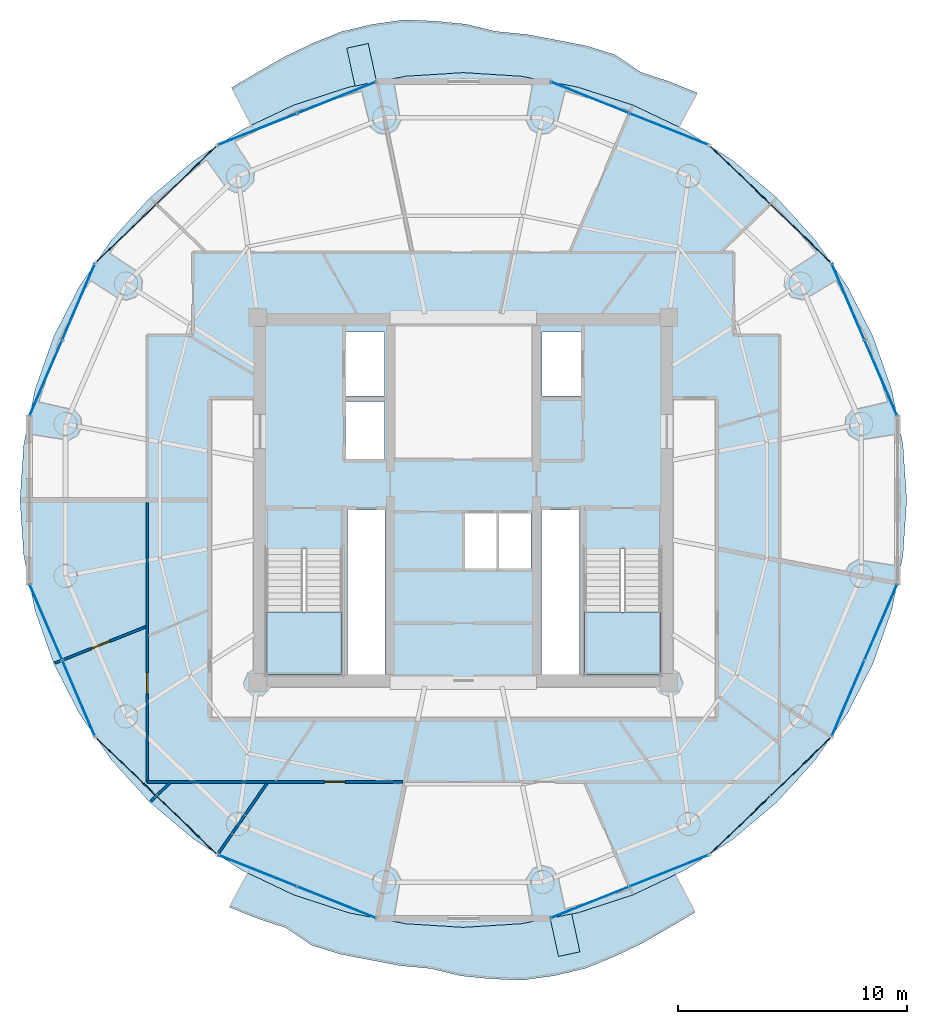
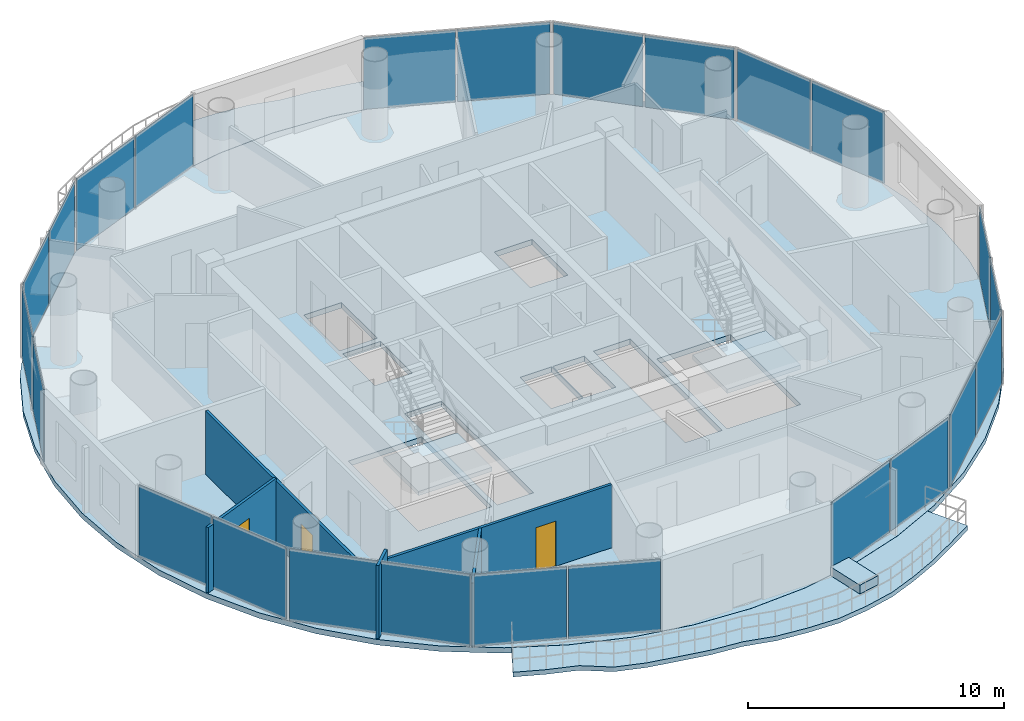
# One storey, part 16 of 23: 24 plates, 7 slabs, 5 walls, 3 doors, 3 openings, 14 elements without a shape of their own.
"""IFC4 building model written with IfcOpenShell, lengths in metres."""

from ifc_helpers import new_model, si_unit, direction, frame, frame_2d, origin, origin_2d, place, context, subcontext, project, spatial, polyline, rectangle, outline, extrude, source, transform, mapped, material, layer, layer_set, type_object, element, fill, aggregate, save


model = new_model("IFC4")

# Units and contexts
model_context = context("Model", 3, precision=1e-05, world=origin(), true_north=direction((-0.2419218956, 0.970295726276)))
body_context = subcontext(model_context, "Body", "Model", "MODEL_VIEW")
ifc_project = project(units=[si_unit("LENGTHUNIT", "METRE"), si_unit("AREAUNIT", "SQUARE_METRE"), si_unit("VOLUMEUNIT", "CUBIC_METRE"), si_unit("PLANEANGLEUNIT", "RADIAN"), si_unit("MASSUNIT", "GRAM", prefix="KILO")], contexts=[model_context])

# Site, building, storey
site_placement = place(None, origin())
site = spatial("IfcSite", under=ifc_project, at=site_placement, CompositionType="ELEMENT")
building_placement = place(site_placement, origin())
building = spatial("IfcBuilding", under=site, at=building_placement, Name="Cobrevalo Terracotta Tower", CompositionType="ELEMENT")
storey_placement = place(building_placement, frame((0.0, 0.0, 259.449951171875)))
storey = spatial("IfcBuildingStorey", under=building, at=storey_placement, Name="L68", CompositionType="ELEMENT", Elevation=259.449951171875)

# Stair, slab
ifc_material_1 = material(Name="Concrete C50", Category="concrete")
stair_type = type_object("IfcStairType", Name="Core protected escape dogleg stair 1600", PredefinedType="HALF_TURN_STAIR", material=ifc_material_1)
stair_1_placement = place(storey_placement, origin())
stair_1 = element("IfcStair", 1, at=stair_1_placement, inside=storey, type_object=stair_type, Name="L68 Protected exit stair ST-1", PredefinedType="HALF_TURN_STAIR")
ifc_layer_1 = layer(ifc_material_1, 0.199951171875)
ifc_layer_set_1 = layer_set([ifc_layer_1], Name="Concrete C50")
slab_type_1 = type_object("IfcSlabType", Name="Reinforced Concrete Stair Landing 200", PredefinedType="LANDING", material=ifc_layer_set_1)
slab_1_placement = place(storey_placement, frame((0.0, 0.0, 1.675048828125)))
slab_1 = element("IfcSlab", 2, at=slab_1_placement, type_object=slab_type_1, Name="ST-1 landing 1", PredefinedType="LANDING", context=body_context, shape_type="SweptSolid", body=[
    extrude(outline(polyline([(29.375, 21.89990234375), (29.375, 19.175048828125), (32.695068359375, 19.175048828125), (32.695068359375, 21.89990234375), (29.375, 21.89990234375)])), origin(), (0.0, 0.0, 1.0), 0.199951171875),
])
aggregate(stair_1, [slab_1])

stair_2_placement = place(storey_placement, origin())
stair_2 = element("IfcStair", 3, at=stair_2_placement, inside=storey, type_object=stair_type, Name="L68 Protected exit stair ST-2", PredefinedType="HALF_TURN_STAIR")
slab_2_placement = place(storey_placement, frame((0.0, 0.0, 1.675048828125)))
slab_2 = element("IfcSlab", 4, at=slab_2_placement, type_object=slab_type_1, Name="ST-2 landing 1", PredefinedType="LANDING", context=body_context, shape_type="SweptSolid", body=[
    extrude(outline(polyline([(43.304931640625, 21.89990234375), (43.304931640625, 19.175048828125), (46.625, 19.175048828125), (46.625, 21.89990234375), (43.304931640625, 21.89990234375)])), origin(), (0.0, 0.0, 1.0), 0.199951171875),
])
aggregate(stair_2, [slab_2])

# Slabs
ifc_material_2 = material(Name="Concrete C45", Category="concrete")
ifc_layer_2 = layer(ifc_material_2, 0.219970703125)
ifc_layer_set_2 = layer_set([ifc_layer_2], Name="Concrete C45")
slab_type_2 = type_object("IfcSlabType", Name="Spiralling cantilevered balcony lobe slab 220 mm", PredefinedType="FLOOR", material=ifc_layer_set_2)
slab_3_placement = place(storey_placement, frame((0.0, 0.0, -0.219970703125)))
element("IfcSlab", 5, at=slab_3_placement, inside=storey, type_object=slab_type_2, Name="L68 spiralling arc balcony slab lobe 1", PredefinedType="FLOOR", context=body_context, shape_type="SweptSolid", body=[
    extrude(outline(polyline([(48.240234375, 44.614501953125), (47.017578125, 45.108154296875), (45.770751953125, 45.515380859375), (44.642333984375, 46.27880859375), (43.373779296875, 46.67578125), (42.066162109375, 46.9296875), (40.757080078125, 47.17578125), (39.42919921875, 47.303466796875), (38.09716796875, 47.624755859375), (36.73779296875, 47.760498046875), (35.3623046875, 47.8037109375), (34.005859375, 47.61328125), (32.67236328125, 47.29638671875), (31.40234375, 46.782958984375), (30.17431640625, 46.193115234375), (29.005126953125, 45.518798828125), (27.854736328125, 44.841552734375), (28.7197265625, 43.196533203125), (30.5751953125, 44.078369140625), (32.978271484375, 44.86474609375), (35.467529296875, 45.342041015625), (38.0, 45.501953125), (40.532470703125, 45.342041015625), (43.021728515625, 44.86474609375), (45.4248046875, 44.078369140625), (47.43798828125, 43.121337890625), (48.240234375, 44.614501953125)])), origin(), (0.0, 0.0, 1.0), 0.219970703125),
])
slab_4_placement = place(storey_placement, frame((0.0, 0.0, -0.219970703125)))
element("IfcSlab", 6, at=slab_4_placement, inside=storey, type_object=slab_type_2, Name="L68 spiralling arc balcony slab lobe 2", PredefinedType="FLOOR", context=body_context, shape_type="SweptSolid", body=[
    extrude(outline(polyline([(27.759765625, 8.9853515625), (28.982421875, 8.49169921875), (30.229248046875, 8.084716796875), (31.357666015625, 7.3212890625), (32.626220703125, 6.92431640625), (33.933837890625, 6.67041015625), (35.242919921875, 6.424072265625), (36.57080078125, 6.296630859375), (37.90283203125, 5.975341796875), (39.26220703125, 5.83935546875), (40.6376953125, 5.79638671875), (41.994140625, 5.98681640625), (43.32763671875, 6.3037109375), (44.59765625, 6.817138671875), (45.82568359375, 7.40673828125), (46.994873046875, 8.081298828125), (48.145263671875, 8.758544921875), (47.2802734375, 10.403564453125), (45.4248046875, 9.521484375), (43.021728515625, 8.7353515625), (40.532470703125, 8.258056640625), (38.0, 8.097900390625), (35.467529296875, 8.258056640625), (32.978271484375, 8.7353515625), (30.5751953125, 9.521484375), (28.56201171875, 10.478515625), (27.759765625, 8.9853515625)])), origin(), (0.0, 0.0, 1.0), 0.219970703125),
])
ifc_material_3 = material(Name="Precast concrete C45", Category="concrete")
ifc_layer_3 = layer(ifc_material_3, 0.419921875)
ifc_layer_set_3 = layer_set([ifc_layer_3], Name="Precast concrete C45")
slab_type_3 = type_object("IfcSlabType", Name="Structural tree planter trough base 420 mm", PredefinedType="USERDEFINED", material=ifc_layer_set_3)
slab_5_placement = place(storey_placement, origin())
element("IfcSlab", 7, at=slab_5_placement, inside=storey, type_object=slab_type_3, Name="L68 structural tree planter trough 1", ObjectType="PLANTER", PredefinedType="USERDEFINED", context=body_context, shape_type="SweptSolid", body=[
    extrude(outline(polyline([(34.199462890625, 45.113037109375), (33.837646484375, 46.77392578125), (32.899658203125, 46.56982421875), (33.261474609375, 44.90869140625), (34.199462890625, 45.113037109375)])), origin(), (0.0, 0.0, 1.0), 0.420166015625),
])
slab_6_placement = place(storey_placement, origin())
element("IfcSlab", 8, at=slab_6_placement, inside=storey, type_object=slab_type_3, Name="L68 structural tree planter trough 2", ObjectType="PLANTER", PredefinedType="USERDEFINED", context=body_context, shape_type="SweptSolid", body=[
    extrude(outline(polyline([(41.800537109375, 8.487060546875), (42.162353515625, 6.825927734375), (43.100341796875, 7.0302734375), (42.738525390625, 8.69140625), (41.800537109375, 8.487060546875)])), origin(), (0.0, 0.0, 1.0), 0.420166015625),
])
ifc_layer_4 = layer(ifc_material_2, 0.260009765625)
ifc_layer_set_4 = layer_set([ifc_layer_4], Name="Concrete C45")
slab_type_4 = type_object("IfcSlabType", Name="Zone Z5 elliptical floor plate 260 mm", PredefinedType="FLOOR", material=ifc_layer_set_4)
slab_7_placement = place(storey_placement, frame((0.0, 0.0, -0.260009765625)))
element("IfcSlab", 9, at=slab_7_placement, inside=storey, type_object=slab_type_4, Name="L68 indoor elliptical floor slab", PredefinedType="FLOOR", context=body_context, shape_type="SweptSolid", body=[
    extrude(outline(polyline([(57.234130859375, 24.359130859375), (56.739013671875, 21.9599609375), (55.92333984375, 19.643798828125), (54.80078125, 17.449951171875), (53.39111328125, 15.416259765625), (51.7177734375, 13.5771484375), (49.81005859375, 11.96435546875), (47.699951171875, 10.605224609375), (45.424072265625, 9.5234375), (43.02099609375, 8.7373046875), (40.5322265625, 8.260009765625), (38.0, 8.10009765625), (35.4677734375, 8.260009765625), (32.97900390625, 8.7373046875), (30.575927734375, 9.5234375), (28.300048828125, 10.605224609375), (26.18994140625, 11.96435546875), (24.2822265625, 13.5771484375), (22.60888671875, 15.416259765625), (21.19921875, 17.449951171875), (20.07666015625, 19.643798828125), (19.260986328125, 21.9599609375), (18.765869140625, 24.359130859375), (18.60009765625, 26.800048828125), (18.765869140625, 29.24072265625), (19.260986328125, 31.639892578125), (20.07666015625, 33.956298828125), (21.19921875, 36.14990234375), (22.60888671875, 38.183837890625), (24.2822265625, 40.02294921875), (26.18994140625, 41.6357421875), (28.300048828125, 42.99462890625), (30.575927734375, 44.07666015625), (32.97900390625, 44.86279296875), (35.4677734375, 45.340087890625), (38.0, 45.5), (40.5322265625, 45.340087890625), (43.02099609375, 44.86279296875), (45.424072265625, 44.07666015625), (47.699951171875, 42.99462890625), (49.81005859375, 41.6357421875), (51.7177734375, 40.02294921875), (53.39111328125, 38.183837890625), (54.80078125, 36.14990234375), (55.92333984375, 33.956298828125), (56.739013671875, 31.639892578125), (57.234130859375, 29.24072265625), (57.39990234375, 26.800048828125), (57.234130859375, 24.359130859375)]), holes=[polyline([(32.695068359375, 19.175048828125), (32.695068359375, 24.659912109375), (29.375, 24.659912109375), (29.375, 19.175048828125), (32.695068359375, 19.175048828125)]), polyline([(46.625, 19.175048828125), (46.625, 24.659912109375), (43.304931640625, 24.659912109375), (43.304931640625, 19.175048828125), (46.625, 19.175048828125)]), polyline([(34.574951171875, 26.360107421875), (32.919921875, 26.360107421875), (32.919921875, 19.175048828125), (34.574951171875, 19.175048828125), (34.574951171875, 26.360107421875)]), polyline([(43.080078125, 26.360107421875), (41.425048828125, 26.360107421875), (41.425048828125, 19.175048828125), (43.080078125, 19.175048828125), (43.080078125, 26.360107421875)]), polyline([(39.469970703125, 26.25), (38.0400390625, 26.25), (38.0400390625, 23.800048828125), (39.469970703125, 23.800048828125), (39.469970703125, 26.25)]), polyline([(40.949951171875, 26.25), (39.52001953125, 26.25), (39.52001953125, 23.800048828125), (40.949951171875, 23.800048828125), (40.949951171875, 26.25)]), polyline([(34.550048828125, 31.10009765625), (32.85009765625, 31.10009765625), (32.85009765625, 28.60009765625), (34.550048828125, 28.60009765625), (34.550048828125, 31.10009765625)]), polyline([(34.550048828125, 31.35009765625), (34.550048828125, 34.14990234375), (32.85009765625, 34.14990234375), (32.85009765625, 31.35009765625), (34.550048828125, 31.35009765625)]), polyline([(43.14990234375, 31.35009765625), (43.14990234375, 34.14990234375), (41.449951171875, 34.14990234375), (41.449951171875, 31.35009765625), (43.14990234375, 31.35009765625)])]), origin(), (0.0, 0.0, 1.0), 0.260009765625),
])

# Curtain wall, plates
ifc_material_4 = material(Name="Anodized aluminium", Category="aluminium")
curtain_wall_type = type_object("IfcCurtainWallType", Name="Upper-tower triple-glazed penthouse curtain wall CW-U3", PredefinedType="NOTDEFINED", material=ifc_material_4)
curtain_wall_1_placement = place(storey_placement, origin())
curtain_wall_1 = element("IfcCurtainWall", 10, at=curtain_wall_1_placement, inside=storey, type_object=curtain_wall_type, Name="L68 curtain wall CW-L68-S02", PredefinedType="NOTDEFINED")
ifc_material_5 = material(Name="Solar-control low-E double glazing", Category="glass")
ifc_layer_5 = layer(ifc_material_5, 0.028076171875)
ifc_layer_set_5 = layer_set([ifc_layer_5], Name="Solar-control low-E double glazing")
plate_type = type_object("IfcPlateType", Name="Tower solar-control low-E vision glass panel 28 mm", PredefinedType="CURTAIN_PANEL", material=ifc_layer_set_5)
shared_shape_1 = source(origin(), body_context, "Body", "SweptSolid", [
    extrude(rectangle(XDim=3.59130859375, YDim=0.035888671875, at=origin_2d()), origin(), (0.0, 0.0, 1.0), 3.409912109375),
])
plate_1_placement = place(storey_placement, frame((52.755126953125, 38.47412109375, 0.0400390625), z_axis=(0.0, 0.0, 1.0), x_axis=(-0.719996603293, 0.693977586992, 0.0)))
plate_1 = element("IfcPlate", 11, at=plate_1_placement, type_object=plate_type, Name="CW-L68-S02 glazing panel B01", PredefinedType="CURTAIN_PANEL", context=body_context, shape_type="MappedRepresentation", body=[
    mapped(shared_shape_1, transform((0.0, 0.0, 0.0), scale=1.0)),
])
plate_2_placement = place(storey_placement, frame((50.11181640625, 41.02197265625, 0.0400390625), z_axis=(0.0, 0.0, 1.0), x_axis=(-0.719996603293, 0.693977586992, 0.0)))
plate_2 = element("IfcPlate", 12, at=plate_2_placement, type_object=plate_type, Name="CW-L68-S02 glazing panel B02", PredefinedType="CURTAIN_PANEL", context=body_context, shape_type="MappedRepresentation", body=[
    mapped(shared_shape_1, transform((0.0, 0.0, 0.0), scale=1.0)),
])
aggregate(curtain_wall_1, [plate_1, plate_2])

curtain_wall_2_placement = place(storey_placement, origin())
curtain_wall_2 = element("IfcCurtainWall", 13, at=curtain_wall_2_placement, inside=storey, type_object=curtain_wall_type, Name="L68 curtain wall CW-L68-S06", PredefinedType="NOTDEFINED")
plate_3_placement = place(storey_placement, frame((25.88818359375, 41.02197265625, 0.0400390625), z_axis=(0.0, 0.0, 1.0), x_axis=(-0.719996603293, -0.693977586992, 0.0)))
plate_3 = element("IfcPlate", 14, at=plate_3_placement, type_object=plate_type, Name="CW-L68-S06 glazing panel B01", PredefinedType="CURTAIN_PANEL", context=body_context, shape_type="MappedRepresentation", body=[
    mapped(shared_shape_1, transform((0.0, 0.0, 0.0), scale=1.0)),
])
plate_4_placement = place(storey_placement, frame((23.244873046875, 38.47412109375, 0.0400390625), z_axis=(0.0, 0.0, 1.0), x_axis=(-0.719996603293, -0.693977586992, 0.0)))
plate_4 = element("IfcPlate", 15, at=plate_4_placement, type_object=plate_type, Name="CW-L68-S06 glazing panel B02", PredefinedType="CURTAIN_PANEL", context=body_context, shape_type="MappedRepresentation", body=[
    mapped(shared_shape_1, transform((0.0, 0.0, 0.0), scale=1.0)),
])
aggregate(curtain_wall_2, [plate_3, plate_4])

curtain_wall_3_placement = place(storey_placement, origin())
curtain_wall_3 = element("IfcCurtainWall", 16, at=curtain_wall_3_placement, inside=storey, type_object=curtain_wall_type, Name="L68 curtain wall CW-L68-S10", PredefinedType="NOTDEFINED")
plate_5_placement = place(storey_placement, frame((23.244873046875, 15.1259765625, 0.0400390625), z_axis=(0.0, 0.0, 1.0), x_axis=(0.719996603293, -0.693977586992, 0.0)))
plate_5 = element("IfcPlate", 17, at=plate_5_placement, type_object=plate_type, Name="CW-L68-S10 glazing panel B01", PredefinedType="CURTAIN_PANEL", context=body_context, shape_type="MappedRepresentation", body=[
    mapped(shared_shape_1, transform((0.0, 0.0, 0.0), scale=1.0)),
])
plate_6_placement = place(storey_placement, frame((25.88818359375, 12.578125, 0.0400390625), z_axis=(0.0, 0.0, 1.0), x_axis=(0.719996603293, -0.693977586992, 0.0)))
plate_6 = element("IfcPlate", 18, at=plate_6_placement, type_object=plate_type, Name="CW-L68-S10 glazing panel B02", PredefinedType="CURTAIN_PANEL", context=body_context, shape_type="MappedRepresentation", body=[
    mapped(shared_shape_1, transform((0.0, 0.0, 0.0), scale=1.0)),
])
aggregate(curtain_wall_3, [plate_5, plate_6])

curtain_wall_4_placement = place(storey_placement, origin())
curtain_wall_4 = element("IfcCurtainWall", 19, at=curtain_wall_4_placement, inside=storey, type_object=curtain_wall_type, Name="L68 curtain wall CW-L68-S14", PredefinedType="NOTDEFINED")
plate_7_placement = place(storey_placement, frame((50.11181640625, 12.578125, 0.0400390625), z_axis=(0.0, 0.0, 1.0), x_axis=(0.719996603293, 0.693977586992, 0.0)))
plate_7 = element("IfcPlate", 20, at=plate_7_placement, type_object=plate_type, Name="CW-L68-S14 glazing panel B01", PredefinedType="CURTAIN_PANEL", context=body_context, shape_type="MappedRepresentation", body=[
    mapped(shared_shape_1, transform((0.0, 0.0, 0.0), scale=1.0)),
])
plate_8_placement = place(storey_placement, frame((52.755126953125, 15.1259765625, 0.0400390625), z_axis=(0.0, 0.0, 1.0), x_axis=(0.719996603293, 0.693977586992, 0.0)))
plate_8 = element("IfcPlate", 21, at=plate_8_placement, type_object=plate_type, Name="CW-L68-S14 glazing panel B02", PredefinedType="CURTAIN_PANEL", context=body_context, shape_type="MappedRepresentation", body=[
    mapped(shared_shape_1, transform((0.0, 0.0, 0.0), scale=1.0)),
])
aggregate(curtain_wall_4, [plate_7, plate_8])

curtain_wall_5_placement = place(storey_placement, origin())
curtain_wall_5 = element("IfcCurtainWall", 22, at=curtain_wall_5_placement, inside=storey, type_object=curtain_wall_type, Name="L68 curtain wall CW-L68-S03", PredefinedType="NOTDEFINED")
shared_shape_2 = source(origin(), body_context, "Body", "SweptSolid", [
    extrude(rectangle(XDim=3.63916015625, YDim=0.035888671875, at=origin_2d()), origin(), (0.0, 0.0, 1.0), 3.409912109375),
])
plate_9_placement = place(storey_placement, frame((46.997314453125, 43.02783203125, 0.0400390625), z_axis=(0.0, 0.0, 1.0), x_axis=(-0.92871833374, 0.370785998353, 0.0)))
plate_9 = element("IfcPlate", 23, at=plate_9_placement, type_object=plate_type, Name="CW-L68-S03 glazing panel B01", PredefinedType="CURTAIN_PANEL", context=body_context, shape_type="MappedRepresentation", body=[
    mapped(shared_shape_2, transform((0.0, 0.0, 0.0), scale=1.0)),
])
plate_10_placement = place(storey_placement, frame((43.543212890625, 44.406982421875, 0.0400390625), z_axis=(0.0, 0.0, 1.0), x_axis=(-0.92871833374, 0.370785998353, 0.0)))
plate_10 = element("IfcPlate", 24, at=plate_10_placement, type_object=plate_type, Name="CW-L68-S03 glazing panel B02", PredefinedType="CURTAIN_PANEL", context=body_context, shape_type="MappedRepresentation", body=[
    mapped(shared_shape_2, transform((0.0, 0.0, 0.0), scale=1.0)),
])
aggregate(curtain_wall_5, [plate_9, plate_10])

curtain_wall_6_placement = place(storey_placement, origin())
curtain_wall_6 = element("IfcCurtainWall", 25, at=curtain_wall_6_placement, inside=storey, type_object=curtain_wall_type, Name="L68 curtain wall CW-L68-S05", PredefinedType="NOTDEFINED")
plate_11_placement = place(storey_placement, frame((32.456787109375, 44.406982421875, 0.0400390625), z_axis=(0.0, 0.0, 1.0), x_axis=(-0.92871833374, -0.370785998353, 0.0)))
plate_11 = element("IfcPlate", 26, at=plate_11_placement, type_object=plate_type, Name="CW-L68-S05 glazing panel B01", PredefinedType="CURTAIN_PANEL", context=body_context, shape_type="MappedRepresentation", body=[
    mapped(shared_shape_2, transform((0.0, 0.0, 0.0), scale=1.0)),
])
plate_12_placement = place(storey_placement, frame((29.002685546875, 43.02783203125, 0.0400390625), z_axis=(0.0, 0.0, 1.0), x_axis=(-0.92871833374, -0.370785998353, 0.0)))
plate_12 = element("IfcPlate", 27, at=plate_12_placement, type_object=plate_type, Name="CW-L68-S05 glazing panel B02", PredefinedType="CURTAIN_PANEL", context=body_context, shape_type="MappedRepresentation", body=[
    mapped(shared_shape_2, transform((0.0, 0.0, 0.0), scale=1.0)),
])
aggregate(curtain_wall_6, [plate_11, plate_12])

curtain_wall_7_placement = place(storey_placement, origin())
curtain_wall_7 = element("IfcCurtainWall", 28, at=curtain_wall_7_placement, inside=storey, type_object=curtain_wall_type, Name="L68 curtain wall CW-L68-S11", PredefinedType="NOTDEFINED")
plate_13_placement = place(storey_placement, frame((29.002685546875, 10.572021484375, 0.0400390625), z_axis=(0.0, 0.0, 1.0), x_axis=(0.92871833374, -0.370785998353, 0.0)))
plate_13 = element("IfcPlate", 29, at=plate_13_placement, type_object=plate_type, Name="CW-L68-S11 glazing panel B01", PredefinedType="CURTAIN_PANEL", context=body_context, shape_type="MappedRepresentation", body=[
    mapped(shared_shape_2, transform((0.0, 0.0, 0.0), scale=1.0)),
])
plate_14_placement = place(storey_placement, frame((32.456787109375, 9.193115234375, 0.0400390625), z_axis=(0.0, 0.0, 1.0), x_axis=(0.92871833374, -0.370785998353, 0.0)))
plate_14 = element("IfcPlate", 30, at=plate_14_placement, type_object=plate_type, Name="CW-L68-S11 glazing panel B02", PredefinedType="CURTAIN_PANEL", context=body_context, shape_type="MappedRepresentation", body=[
    mapped(shared_shape_2, transform((0.0, 0.0, 0.0), scale=1.0)),
])
aggregate(curtain_wall_7, [plate_13, plate_14])

curtain_wall_8_placement = place(storey_placement, origin())
curtain_wall_8 = element("IfcCurtainWall", 31, at=curtain_wall_8_placement, inside=storey, type_object=curtain_wall_type, Name="L68 curtain wall CW-L68-S13", PredefinedType="NOTDEFINED")
plate_15_placement = place(storey_placement, frame((43.543212890625, 9.193115234375, 0.0400390625), z_axis=(0.0, 0.0, 1.0), x_axis=(0.92871833374, 0.370785998353, 0.0)))
plate_15 = element("IfcPlate", 32, at=plate_15_placement, type_object=plate_type, Name="CW-L68-S13 glazing panel B01", PredefinedType="CURTAIN_PANEL", context=body_context, shape_type="MappedRepresentation", body=[
    mapped(shared_shape_2, transform((0.0, 0.0, 0.0), scale=1.0)),
])
plate_16_placement = place(storey_placement, frame((46.997314453125, 10.572021484375, 0.0400390625), z_axis=(0.0, 0.0, 1.0), x_axis=(0.92871833374, 0.370785998353, 0.0)))
plate_16 = element("IfcPlate", 33, at=plate_16_placement, type_object=plate_type, Name="CW-L68-S13 glazing panel B02", PredefinedType="CURTAIN_PANEL", context=body_context, shape_type="MappedRepresentation", body=[
    mapped(shared_shape_2, transform((0.0, 0.0, 0.0), scale=1.0)),
])
aggregate(curtain_wall_8, [plate_15, plate_16])

curtain_wall_9_placement = place(storey_placement, origin())
curtain_wall_9 = element("IfcCurtainWall", 34, at=curtain_wall_9_placement, inside=storey, type_object=curtain_wall_type, Name="L68 curtain wall CW-L68-S01", PredefinedType="NOTDEFINED")
shared_shape_3 = source(origin(), body_context, "Body", "SweptSolid", [
    extrude(rectangle(XDim=3.542724609375, YDim=0.035888671875, at=origin_2d()), origin(), (0.0, 0.0, 1.0), 3.409912109375),
])
plate_17_placement = place(storey_placement, frame((56.266845703125, 32.143310546875, 0.0400390625), z_axis=(0.0, 0.0, 1.0), x_axis=(-0.394828845134, 0.918754691444, 0.0)))
plate_17 = element("IfcPlate", 35, at=plate_17_placement, type_object=plate_type, Name="CW-L68-S01 glazing panel B01", PredefinedType="CURTAIN_PANEL", context=body_context, shape_type="MappedRepresentation", body=[
    mapped(shared_shape_3, transform((0.0, 0.0, 0.0), scale=1.0)),
])
plate_18_placement = place(storey_placement, frame((54.83642578125, 35.4716796875, 0.0400390625), z_axis=(0.0, 0.0, 1.0), x_axis=(-0.394828845134, 0.918754691444, 0.0)))
plate_18 = element("IfcPlate", 36, at=plate_18_placement, type_object=plate_type, Name="CW-L68-S01 glazing panel B02", PredefinedType="CURTAIN_PANEL", context=body_context, shape_type="MappedRepresentation", body=[
    mapped(shared_shape_3, transform((0.0, 0.0, 0.0), scale=1.0)),
])
aggregate(curtain_wall_9, [plate_17, plate_18])

curtain_wall_10_placement = place(storey_placement, origin())
curtain_wall_10 = element("IfcCurtainWall", 37, at=curtain_wall_10_placement, inside=storey, type_object=curtain_wall_type, Name="L68 curtain wall CW-L68-S07", PredefinedType="NOTDEFINED")
plate_19_placement = place(storey_placement, frame((21.16357421875, 35.4716796875, 0.0400390625), z_axis=(0.0, 0.0, 1.0), x_axis=(-0.394828845134, -0.918754691444, 0.0)))
plate_19 = element("IfcPlate", 38, at=plate_19_placement, type_object=plate_type, Name="CW-L68-S07 glazing panel B01", PredefinedType="CURTAIN_PANEL", context=body_context, shape_type="MappedRepresentation", body=[
    mapped(shared_shape_3, transform((0.0, 0.0, 0.0), scale=1.0)),
])
plate_20_placement = place(storey_placement, frame((19.733154296875, 32.143310546875, 0.0400390625), z_axis=(0.0, 0.0, 1.0), x_axis=(-0.394828845134, -0.918754691444, 0.0)))
plate_20 = element("IfcPlate", 39, at=plate_20_placement, type_object=plate_type, Name="CW-L68-S07 glazing panel B02", PredefinedType="CURTAIN_PANEL", context=body_context, shape_type="MappedRepresentation", body=[
    mapped(shared_shape_3, transform((0.0, 0.0, 0.0), scale=1.0)),
])
aggregate(curtain_wall_10, [plate_19, plate_20])

curtain_wall_11_placement = place(storey_placement, origin())
curtain_wall_11 = element("IfcCurtainWall", 40, at=curtain_wall_11_placement, inside=storey, type_object=curtain_wall_type, Name="L68 curtain wall CW-L68-S09", PredefinedType="NOTDEFINED")
plate_21_placement = place(storey_placement, frame((19.733154296875, 21.456787109375, 0.0400390625), z_axis=(0.0, 0.0, 1.0), x_axis=(0.394828845134, -0.918754691444, 0.0)))
plate_21 = element("IfcPlate", 41, at=plate_21_placement, type_object=plate_type, Name="CW-L68-S09 glazing panel B01", PredefinedType="CURTAIN_PANEL", context=body_context, shape_type="MappedRepresentation", body=[
    mapped(shared_shape_3, transform((0.0, 0.0, 0.0), scale=1.0)),
])
plate_22_placement = place(storey_placement, frame((21.16357421875, 18.12841796875, 0.0400390625), z_axis=(0.0, 0.0, 1.0), x_axis=(0.394828845134, -0.918754691444, 0.0)))
plate_22 = element("IfcPlate", 42, at=plate_22_placement, type_object=plate_type, Name="CW-L68-S09 glazing panel B02", PredefinedType="CURTAIN_PANEL", context=body_context, shape_type="MappedRepresentation", body=[
    mapped(shared_shape_3, transform((0.0, 0.0, 0.0), scale=1.0)),
])
aggregate(curtain_wall_11, [plate_21, plate_22])

curtain_wall_12_placement = place(storey_placement, origin())
curtain_wall_12 = element("IfcCurtainWall", 43, at=curtain_wall_12_placement, inside=storey, type_object=curtain_wall_type, Name="L68 curtain wall CW-L68-S15", PredefinedType="NOTDEFINED")
plate_23_placement = place(storey_placement, frame((54.83642578125, 18.12841796875, 0.0400390625), z_axis=(0.0, 0.0, 1.0), x_axis=(0.394828845134, 0.918754691444, 0.0)))
plate_23 = element("IfcPlate", 44, at=plate_23_placement, type_object=plate_type, Name="CW-L68-S15 glazing panel B01", PredefinedType="CURTAIN_PANEL", context=body_context, shape_type="MappedRepresentation", body=[
    mapped(shared_shape_3, transform((0.0, 0.0, 0.0), scale=1.0)),
])
plate_24_placement = place(storey_placement, frame((56.266845703125, 21.456787109375, 0.0400390625), z_axis=(0.0, 0.0, 1.0), x_axis=(0.394828845134, 0.918754691444, 0.0)))
plate_24 = element("IfcPlate", 45, at=plate_24_placement, type_object=plate_type, Name="CW-L68-S15 glazing panel B02", PredefinedType="CURTAIN_PANEL", context=body_context, shape_type="MappedRepresentation", body=[
    mapped(shared_shape_3, transform((0.0, 0.0, 0.0), scale=1.0)),
])
aggregate(curtain_wall_12, [plate_23, plate_24])

# Wall, opening, door
ifc_material_6 = material(Name="Gypsum board on steel stud", Category="steel")
ifc_layer_6 = layer(ifc_material_6, 0.1201171875)
ifc_layer_set_6 = layer_set([ifc_layer_6], Name="Gypsum board on steel stud")
wall_type = type_object("IfcWallType", Name="Residential internal acoustic stud partition 120 mm", PredefinedType="PARTITIONING", material=ifc_layer_set_6)
wall_1_placement = place(storey_placement, frame((35.3525390625, 14.465087890625, 0.0), z_axis=(0.0, 0.0, 1.0), x_axis=(-1.0, 0.0, 0.0)))
wall_1 = element("IfcWall", 46, at=wall_1_placement, inside=storey, type_object=wall_type, Name="L68 interior partition IW-L68-U2-RING0_0", PredefinedType="PARTITIONING", context=body_context, shape_type="SweptSolid", body=[
    extrude(rectangle(XDim=11.1875, YDim=0.1201171875, at=frame_2d((5.59375, 0.0))), origin(), (0.0, 0.0, 1.0), 3.01513671875),
])
opening_1_placement = place(wall_1_placement, frame((2.522216796875, 0.0, 0.0)))
opening_1 = element("IfcOpeningElement", 47, at=opening_1_placement, cuts=wall_1, Name="Opening ID-12", PredefinedType="OPENING", context=body_context, shape_type="SweptSolid", body=[
    extrude(rectangle(XDim=0.89990234375, YDim=2.14990234375, at=frame_2d((0.449951171875, 1.074951171875))), frame((0.0, 0.070068359375, 0.0), z_axis=(0.0, -1.0, 0.0), x_axis=(1.0, 0.0, 0.0)), (0.0, 0.0, 1.0), 0.14013671875),
])
ifc_material_7 = material(Name="Engineered timber", Category="wood")
door_type = type_object("IfcDoorType", Name="Internal residence & suite timber door 900x2150", OperationType="NOTDEFINED", PredefinedType="DOOR", material=ifc_material_7)
shared_shape_4 = source(origin(), body_context, "Body", "SweptSolid", [
    extrude(rectangle(XDim=0.89990234375, YDim=2.14990234375, at=frame_2d((0.449951171875, 1.074951171875))), frame((0.0, 0.02490234375, 0.0), z_axis=(0.0, -1.0, 0.0), x_axis=(1.0, 0.0, 0.0)), (0.0, 0.0, 1.0), 0.050048828125),
])
door_1_placement = place(opening_1_placement, origin())
door_1 = element("IfcDoor", 48, at=door_1_placement, inside=storey, type_object=door_type, Name="Flat L68B Principal Guest Bedroom internal door", OperationType="SINGLE_SWING_RIGHT", OverallHeight=2.14990234375, OverallWidth=0.89990234375, PredefinedType="DOOR", context=body_context, shape_type="MappedRepresentation", body=[
    mapped(shared_shape_4, transform((0.0, 0.0, 0.0), scale=1.0)),
])
fill(opening_1, door_1)

wall_2_placement = place(storey_placement, frame((24.1650390625, 14.465087890625, 0.0), z_axis=(0.0, 0.0, 1.0), x_axis=(0.0, 1.0, 0.0)))
wall_2 = element("IfcWall", 49, at=wall_2_placement, inside=storey, type_object=wall_type, Name="L68 interior partition IW-L68-U2-RING1_0", PredefinedType="PARTITIONING", context=body_context, shape_type="SweptSolid", body=[
    extrude(rectangle(XDim=12.23291015625, YDim=0.1201171875, at=frame_2d((6.116455078125, 0.0))), origin(), (0.0, 0.0, 1.0), 3.01513671875),
])
opening_2_placement = place(wall_2_placement, frame((3.86279296875, 0.0, 0.0)))
opening_2 = element("IfcOpeningElement", 50, at=opening_2_placement, cuts=wall_2, Name="Opening ID-12", PredefinedType="OPENING", context=body_context, shape_type="SweptSolid", body=[
    extrude(rectangle(XDim=0.89990234375, YDim=2.14990234375, at=frame_2d((0.449951171875, 1.074951171875))), frame((0.0, 0.070068359375, 0.0), z_axis=(0.0, -1.0, 0.0), x_axis=(1.0, 0.0, 0.0)), (0.0, 0.0, 1.0), 0.14013671875),
])
door_2_placement = place(opening_2_placement, origin())
door_2 = element("IfcDoor", 51, at=door_2_placement, inside=storey, type_object=door_type, Name="Flat L68B Master Bedroom internal door", OperationType="SINGLE_SWING_LEFT", OverallHeight=2.14990234375, OverallWidth=0.89990234375, PredefinedType="DOOR", context=body_context, shape_type="MappedRepresentation", body=[
    mapped(shared_shape_4, transform((0.0, 0.0, 0.0), scale=1.0)),
])
fill(opening_2, door_2)

wall_3_placement = place(storey_placement, frame((24.107421875, 21.253173828125, 0.0), z_axis=(0.0, 0.0, 1.0), x_axis=(-0.928712556691, -0.370800467966, 0.0)))
wall_3 = element("IfcWall", 52, at=wall_3_placement, inside=storey, type_object=wall_type, Name="L68 interior partition IW-L68-U2-ORAD1", PredefinedType="PARTITIONING", context=body_context, shape_type="SweptSolid", body=[
    extrude(rectangle(XDim=4.27978515625, YDim=0.1201171875, at=frame_2d((2.139892578125, 0.0))), origin(), (0.0, 0.0, 1.0), 3.12109375),
])
opening_3_placement = place(wall_3_placement, frame((1.68994140625, 0.0, 0.0)))
opening_3 = element("IfcOpeningElement", 53, at=opening_3_placement, cuts=wall_3, Name="Opening ID-12", PredefinedType="OPENING", context=body_context, shape_type="SweptSolid", body=[
    extrude(rectangle(XDim=0.89990234375, YDim=2.14990234375, at=frame_2d((0.449951171875, 1.074951171875))), frame((0.0, 0.070068359375, 0.0), z_axis=(0.0, -1.0, 0.0), x_axis=(1.0, 0.0, 0.0)), (0.0, 0.0, 1.0), 0.14013671875),
])
door_3_placement = place(opening_3_placement, frame((0.89990234375, 0.0, 0.0), z_axis=(0.0, 0.0, 1.0), x_axis=(-1.0, 0.0, 0.0)))
door_3 = element("IfcDoor", 54, at=door_3_placement, inside=storey, type_object=door_type, Name="Flat L68B Living and Dining Room internal door", OperationType="SINGLE_SWING_LEFT", OverallHeight=2.14990234375, OverallWidth=0.89990234375, PredefinedType="DOOR", context=body_context, shape_type="MappedRepresentation", body=[
    mapped(shared_shape_4, transform((0.0, 0.0, 0.0), scale=1.0)),
])
fill(opening_3, door_3)

# Walls
wall_4_placement = place(storey_placement, frame((25.15869140625, 14.421875, 0.0), z_axis=(0.0, 0.0, 1.0), x_axis=(-0.720070222664, -0.693901199331, 0.0)))
element("IfcWall", 55, at=wall_4_placement, inside=storey, type_object=wall_type, Name="L68 interior partition IW-L68-U2-ORAD2", PredefinedType="PARTITIONING", context=body_context, shape_type="SweptSolid", body=[
    extrude(rectangle(XDim=1.15673828125, YDim=0.1201171875, at=frame_2d((0.578369140625, 0.0))), origin(), (0.0, 0.0, 1.0), 3.489990234375),
])
wall_5_placement = place(storey_placement, frame((29.4140625, 14.4140625, 0.0), z_axis=(0.0, 0.0, 1.0), x_axis=(-0.569657021681, -0.821882520589, 0.0)))
element("IfcWall", 56, at=wall_5_placement, inside=storey, type_object=wall_type, Name="L68 interior partition IW-L68-U2-ORAD3", PredefinedType="PARTITIONING", context=body_context, shape_type="SweptSolid", body=[
    extrude(rectangle(XDim=3.747802734375, YDim=0.1201171875, at=frame_2d((1.8740234375, 0.0))), origin(), (0.0, 0.0, 1.0), 3.01513671875),
])

save(model, "model.ifc")
